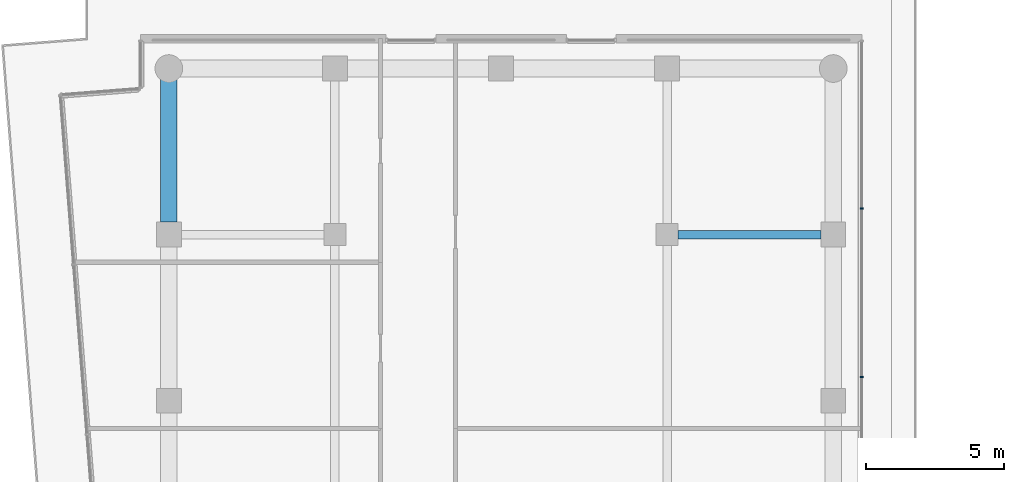
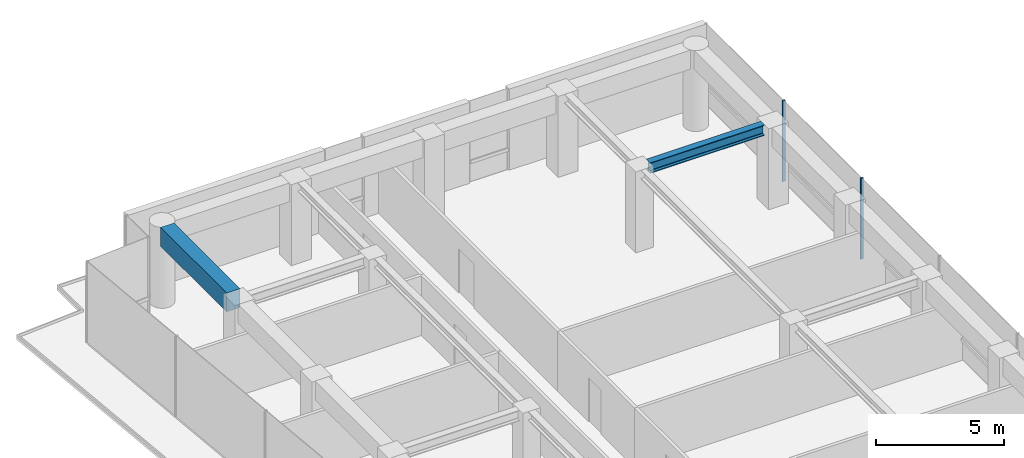
# One storey, part 17 of 25: 2 beams, 2 members, 1 element without a shape of its own.
"""IFC4 building model written with IfcOpenShell, lengths in metres."""

from ifc_helpers import new_model, si_unit, direction, frame, origin, origin_2d, place, context, subcontext, project, spatial, rectangle, i_section, extrude, material, layer, layer_set, material_profile, profile_set, type_object, element, aggregate, save


model = new_model("IFC4")

# Units and contexts
model_context = context("Model", 3, precision=1e-05, world=origin(), true_north=direction((0.0, 1.0)))
body_context = subcontext(model_context, "Body", "Model", "MODEL_VIEW")
ifc_project = project(units=[si_unit("LENGTHUNIT", "METRE"), si_unit("AREAUNIT", "SQUARE_METRE"), si_unit("VOLUMEUNIT", "CUBIC_METRE"), si_unit("PLANEANGLEUNIT", "RADIAN"), si_unit("MASSUNIT", "GRAM", prefix="KILO")], contexts=[model_context])

# Site, building, storey
site_placement = place(None, origin())
site = spatial("IfcSite", under=ifc_project, at=site_placement, CompositionType="ELEMENT")
building_placement = place(site_placement, origin())
building = spatial("IfcBuilding", under=site, at=building_placement, Name="Welwitschia Terrace Campus", CompositionType="ELEMENT")
storey_placement = place(building_placement, frame((0.0, 0.0, 92.0)))
storey = spatial("IfcBuildingStorey", under=building, at=storey_placement, Name="L20", CompositionType="ELEMENT", Elevation=92.0)

# Curtain wall, members
ifc_material_1 = material(Name="Bronze anodised aluminium", Category="aluminium")
ifc_layer = layer(ifc_material_1, 0.1201171875)
ifc_layer_set = layer_set([ifc_layer], Name="Bronze anodised aluminium")
curtain_wall_type = type_object("IfcCurtainWallType", Name="Curtain wall CW2 tower 6000", PredefinedType="NOTDEFINED", material=ifc_layer_set)
curtain_wall_placement = place(storey_placement, origin())
curtain_wall = element("IfcCurtainWall", 1, at=curtain_wall_placement, inside=storey, type_object=curtain_wall_type, Name="CW L20.10.0", PredefinedType="NOTDEFINED")
ifc_material_2 = material(Name="Bronze anodised aluminium", Category="aluminium")
ifc_material_profile_1 = material_profile(ifc_material_2, rectangle(XDim=0.1201171875, YDim=0.06005859375, at=origin_2d()))
ifc_profile_set_1 = profile_set([ifc_material_profile_1], Name="Bronze anodised aluminium")
member_type = type_object("IfcMemberType", Name="Mullion 60x120", PredefinedType="MULLION", material=ifc_profile_set_1)
member_1_placement = place(storey_placement, frame((25.030029296875, 58.859130859375, 0.0), z_axis=(0.0, 0.0, 1.0), x_axis=(-1.0, 0.0, 0.0)))
member_1 = element("IfcMember", 2, at=member_1_placement, type_object=member_type, Name="Mullion L20.10.0.4", PredefinedType="MULLION", context=body_context, shape_type="SweptSolid", body=[
    extrude(rectangle(XDim=0.1201171875, YDim=0.06005859375, at=origin_2d()), origin(), (0.0, 0.0, 1.0), 3.85009765625),
])
member_2_placement = place(storey_placement, frame((25.030029296875, 64.944580078125, 0.0), z_axis=(0.0, 0.0, 1.0), x_axis=(-1.0, 0.0, 0.0)))
member_2 = element("IfcMember", 3, at=member_2_placement, type_object=member_type, Name="Mullion L20.10.0.5", PredefinedType="MULLION", context=body_context, shape_type="SweptSolid", body=[
    extrude(rectangle(XDim=0.1201171875, YDim=0.06005859375, at=origin_2d()), origin(), (0.0, 0.0, 1.0), 3.85009765625),
])
aggregate(curtain_wall, [member_1, member_2])

# Beams
ifc_material_3 = material(Name="Steel S355", Category="steel")
ifc_material_profile_2 = material_profile(ifc_material_3, i_section(OverallWidth=0.300048828125, OverallDepth=0.5, WebThickness=0.014404296875, FlangeThickness=0.028076171875, FilletRadius=0.027099609375, at=origin_2d()))
ifc_profile_set_2 = profile_set([ifc_material_profile_2], Name="Steel S355")
beam_type_1 = type_object("IfcBeamType", Name="Primary beam HE 500 B", PredefinedType="BEAM", material=ifc_profile_set_2)
beam_1_placement = place(storey_placement, frame((23.549560546875, 64.0, 3.60009765625), z_axis=(-1.0, 0.0, 0.0), x_axis=(0.0, -1.0, 0.0)))
element("IfcBeam", 4, at=beam_1_placement, inside=storey, type_object=beam_type_1, Name="Primary beam PB3", PredefinedType="BEAM", context=body_context, shape_type="SweptSolid", body=[
    extrude(i_section(OverallWidth=0.300048828125, OverallDepth=0.5, WebThickness=0.014404296875, FlangeThickness=0.028076171875, FilletRadius=0.027099609375, at=origin_2d()), origin(), (0.0, 0.0, 1.0), 5.149169921875),
])
ifc_material_4 = material(Name="Concrete C60/75", Category="concrete")
ifc_material_profile_3 = material_profile(ifc_material_4, rectangle(XDim=0.60009765625, YDim=0.89990234375, at=origin_2d()))
ifc_profile_set_3 = profile_set([ifc_material_profile_3], Name="Concrete C60/75")
beam_type_2 = type_object("IfcBeamType", Name="Ring spandrel 600x900", PredefinedType="SPANDREL", material=ifc_profile_set_3)
beam_2_placement = place(storey_placement, frame((0.0, 69.599609375, 3.39990234375), z_axis=(0.0, -1.0, 0.0), x_axis=(1.0, 0.0, 0.0)))
element("IfcBeam", 5, at=beam_2_placement, inside=storey, type_object=beam_type_2, Name="Spandrel SP2", PredefinedType="SPANDREL", context=body_context, shape_type="SweptSolid", body=[
    extrude(rectangle(XDim=0.60009765625, YDim=0.89990234375, at=origin_2d()), origin(), (0.0, 0.0, 1.0), 5.149169921875),
])

save(model, "model.ifc")
